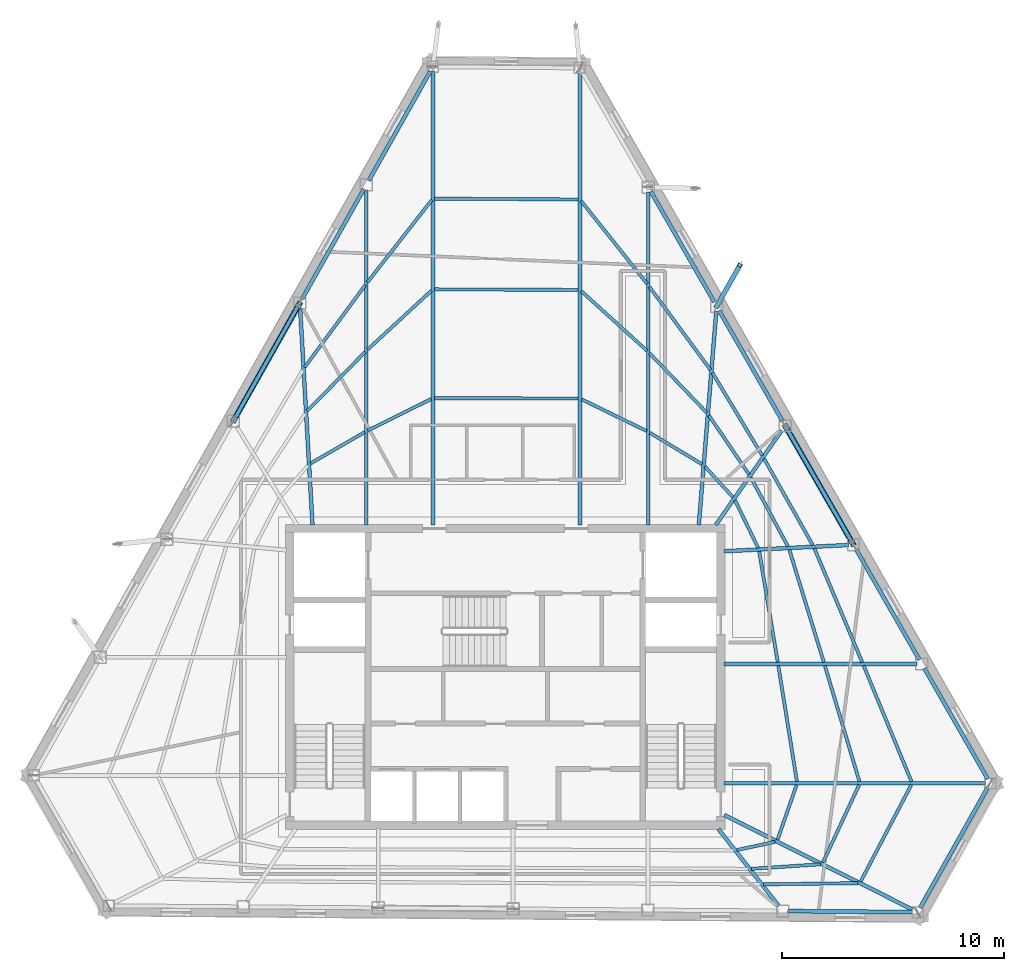
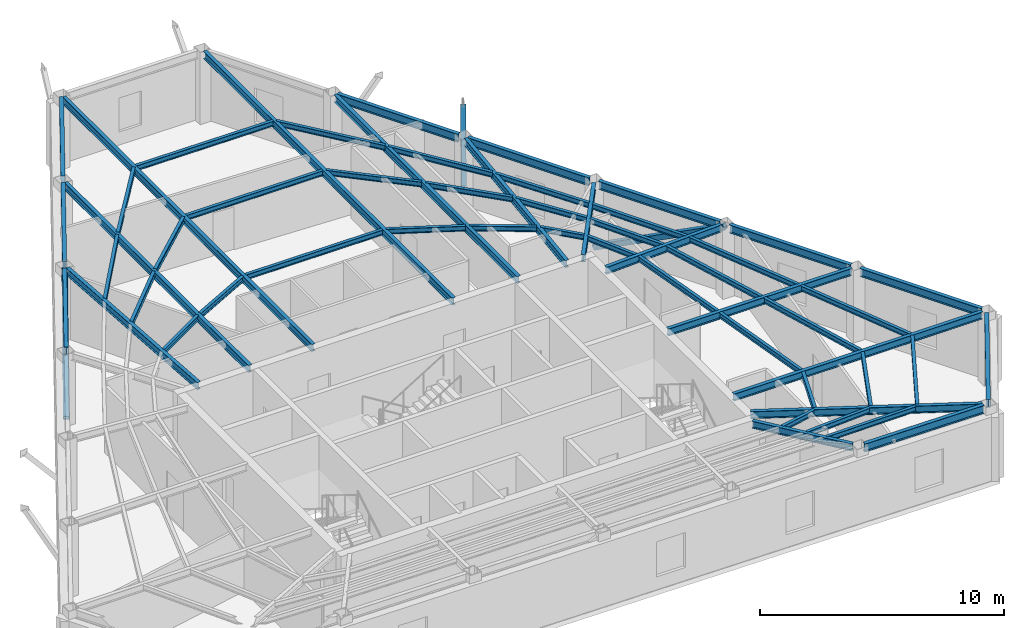
# One storey, part 2 of 10: 55 beams, 3 members.
"""IFC4 building model written with IfcOpenShell, lengths in metres."""

import ifcopenshell
import ifcopenshell.guid

model = None  # the IFC model being written
_history = None  # IfcOwnerHistory: only IFC2X3 demands one
_inside = {}  # id of a spatial element -> (the spatial element, [elements in it])
_under = {}  # id of a project, library or spatial element -> (it, [spatial elements below it])
_declared = {}  # id of a project -> (the project, [libraries it declares])
_typed = {}  # id of a type object -> (the type object, [elements of that type])
_made_of = {}  # id of a material, layer set ... -> (it, [elements and type objects made of it])


def new_model(schema):
    """Start an empty IFC model of exactly this schema.

    Asked for "IFC4X3", IfcOpenShell would pick the latest addendum, in which some entities
    have other attributes; the version numbers below select the first issue.
    IFC2X3 requires an IfcOwnerHistory on every rooted entity: one is made here for all.
    """
    global model, _history
    if schema == "IFC4X3":
        model = ifcopenshell.file(schema_version=(4, 3, 0, 0))
    else:
        model = ifcopenshell.file(schema=schema)
    _inside.clear()
    _under.clear()
    _declared.clear()
    _typed.clear()
    _made_of.clear()
    _history = None
    if model.schema == "IFC2X3":
        org = make("IfcOrganization", Name="unknown")
        user = make(
            "IfcPersonAndOrganization",
            ThePerson=make("IfcPerson", FamilyName="unknown"),
            TheOrganization=org,
        )
        app = make(
            "IfcApplication",
            ApplicationDeveloper=org,
            Version="unknown",
            ApplicationFullName="unknown",
            ApplicationIdentifier="unknown",
        )
        _history = make(
            "IfcOwnerHistory",
            OwningUser=user,
            OwningApplication=app,
            ChangeAction="ADDED",
            CreationDate=0,
        )
    return model


def make(cls, **values):
    """One entity of the class cls with the attributes given. An attribute that is None is left unset."""
    return model.create_entity(
        cls, **{name: value for name, value in values.items() if value is not None}
    )


def rooted(cls, **values):
    """An entity with a GlobalId (a new one), such as an element, a storey or a relation."""
    return make(cls, GlobalId=ifcopenshell.guid.new(), OwnerHistory=_history, **values)


def si_unit(unit_type, name, prefix=None):
    """IfcSIUnit, for example si_unit("LENGTHUNIT", "METRE", prefix="MILLI")."""
    return make("IfcSIUnit", UnitType=unit_type, Prefix=prefix, Name=name)


def assignment(units):
    """IfcUnitAssignment: the units of a project."""
    return None if units is None else make("IfcUnitAssignment", Units=units)


def point(xyz):
    """IfcCartesianPoint."""
    return None if xyz is None else make("IfcCartesianPoint", Coordinates=xyz)


def direction(xyz):
    """IfcDirection."""
    return None if xyz is None else make("IfcDirection", DirectionRatios=xyz)


def frame(location, z_axis=None, x_axis=None):
    """IfcAxis2Placement3D, a coordinate frame: its origin and axes. An axis left out is left unset."""
    return make(
        "IfcAxis2Placement3D",
        Location=point(location),
        Axis=direction(z_axis),
        RefDirection=direction(x_axis),
    )


def frame_2d(location, x_axis=None):
    """IfcAxis2Placement2D, a coordinate frame in the plane: its origin and x axis."""
    return make(
        "IfcAxis2Placement2D", Location=point(location), RefDirection=direction(x_axis)
    )


def origin():
    """The frame at (0, 0, 0) with its axes left unset."""
    return frame((0.0, 0.0, 0.0))


def origin_2d():
    """The frame at (0, 0) in the plane with its x axis left unset."""
    return frame_2d((0.0, 0.0))


def place(relative_to, where):
    """IfcLocalPlacement: puts the frame where relative to a parent placement (None: the world)."""
    return make(
        "IfcLocalPlacement", PlacementRelTo=relative_to, RelativePlacement=where
    )


def context(
    kind, dimensions, precision=None, world=None, true_north=None, identifier=None
):
    """IfcGeometricRepresentationContext, for example the 3D "Model" context."""
    return make(
        "IfcGeometricRepresentationContext",
        ContextIdentifier=identifier,
        ContextType=kind,
        CoordinateSpaceDimension=dimensions,
        Precision=precision,
        WorldCoordinateSystem=world,
        TrueNorth=true_north,
    )


def subcontext(parent, identifier, kind, view, scale=None):
    """IfcGeometricRepresentationSubContext, for example "Body" below "Model"."""
    return make(
        "IfcGeometricRepresentationSubContext",
        ContextIdentifier=identifier,
        ContextType=kind,
        ParentContext=parent,
        TargetScale=scale,
        TargetView=view,
    )


def project(units=None, contexts=None):
    """IfcProject with its units and contexts."""
    return rooted(
        "IfcProject",
        Name="project",
        RepresentationContexts=contexts,
        UnitsInContext=assignment(units),
    )


def spatial(cls, under=None, at=None, **own):
    """A site, building, storey or space (cls), placed at a placement, below another one or the project."""
    s = rooted(cls, ObjectPlacement=at, **own)
    if under is not None:
        _under.setdefault(under.id(), (under, []))[1].append(s)
    return s


def profile(cls, at=None, kind="AREA", **sizes):
    """A parametric profile (cls). Its sizes go by their IFC names, for example OverallWidth=200.0."""
    return make(cls, ProfileType=kind, Position=at, **sizes)


def hollow_rectangle(**sizes):
    """IfcRectangleHollowProfileDef."""
    return profile("IfcRectangleHollowProfileDef", **sizes)


def i_section(**sizes):
    """IfcIShapeProfileDef."""
    return profile("IfcIShapeProfileDef", **sizes)


def extrude(swept, where, along, depth):
    """IfcExtrudedAreaSolid: the profile swept, set in the frame where, extruded along a direction by depth."""
    return make(
        "IfcExtrudedAreaSolid",
        SweptArea=swept,
        Position=where,
        ExtrudedDirection=direction(along),
        Depth=depth,
    )


def shape(context_of_items, identifier, shape_type, items):
    """IfcShapeRepresentation: the items that make up one representation, for example the "Body"."""
    return make(
        "IfcShapeRepresentation",
        ContextOfItems=context_of_items,
        RepresentationIdentifier=identifier,
        RepresentationType=shape_type,
        Items=items,
    )


def material(Name=None, Category=None):
    """IfcMaterial."""
    return make("IfcMaterial", Name=Name, Category=Category)


def material_profile(
    of_material, cross_section, Name=None, Category=None, Priority=None
):
    """IfcMaterialProfile: a cross section and its material."""
    return make(
        "IfcMaterialProfile",
        Name=Name,
        Material=of_material,
        Profile=cross_section,
        Priority=Priority,
        Category=Category,
    )


def profile_set(profiles, Name=None, composite=None):
    """IfcMaterialProfileSet."""
    return make(
        "IfcMaterialProfileSet",
        Name=Name,
        MaterialProfiles=profiles,
        CompositeProfile=composite,
    )


def made_of(thing, what):
    """Note that an element or type object is made of a material, layer set ...; save() writes the relation."""
    if what is not None:
        _made_of.setdefault(what.id(), (what, []))[1].append(thing)
    return thing


def type_object(cls, material=None, **own):
    """A type object (cls), such as IfcWallType, which elements share."""
    return made_of(rooted(cls, **own), material)


def element(
    cls,
    number,
    at=None,
    inside=None,
    cuts=None,
    type_object=None,
    material=None,
    context=None,
    identifier="Body",
    shape_type=None,
    held_by="IfcProductDefinitionShape",
    body=None,
    shapes=None,
    **own,
):
    """One element of the class cls, such as IfcWall. Its Tag is "e" and its number.

    at: its placement. inside: the storey or other place that contains it. cuts: it is an
    opening in that element (IfcRelVoidsElement). A single representation is given by context,
    identifier, shape_type and body (its items); several are given by shapes. held_by: the class
    of the entity that holds the representations. save() writes the other relations.
    """
    e = rooted(cls, Tag="e%d" % number, ObjectPlacement=at, **own)
    if body is not None:
        shapes = [shape(context, identifier, shape_type, body)]
    if shapes is not None:
        e.Representation = make(held_by, Representations=shapes)
    if inside is not None:
        _inside.setdefault(inside.id(), (inside, []))[1].append(e)
    if cuts is not None:
        rooted(
            "IfcRelVoidsElement", RelatingBuildingElement=cuts, RelatedOpeningElement=e
        )
    if type_object is not None:
        _typed.setdefault(type_object.id(), (type_object, []))[1].append(e)
    return made_of(e, material)


def aggregate(whole, parts):
    """IfcRelAggregates: a whole, such as a stair, and the parts it consists of."""
    return rooted("IfcRelAggregates", RelatingObject=whole, RelatedObjects=parts)


def save(model, path):
    """Write the relations noted so far, then the file.

    IfcRelAggregates (storeys below a building ...), IfcRelContainedInSpatialStructure (elements
    in a storey), IfcRelDefinesByType, IfcRelAssociatesMaterial and IfcRelDeclares: one each for
    every whole, place, type object, material and project.
    """
    for whole, parts in _under.values():
        aggregate(whole, parts)
    for where, things in _inside.values():
        rooted(
            "IfcRelContainedInSpatialStructure",
            RelatedElements=things,
            RelatingStructure=where,
        )
    for kind, things in _typed.values():
        rooted("IfcRelDefinesByType", RelatedObjects=things, RelatingType=kind)
    for what, things in _made_of.values():
        rooted("IfcRelAssociatesMaterial", RelatedObjects=things, RelatingMaterial=what)
    for by, libraries in _declared.values():
        rooted("IfcRelDeclares", RelatingContext=by, RelatedDefinitions=libraries)
    model.write(path)


model = new_model("IFC4")

# Units and contexts
model_context = context("Model", 3, precision=1e-05, world=origin(), true_north=direction((0.0, 1.0)))
body_context = subcontext(model_context, "Body", "Model", "MODEL_VIEW")
ifc_project = project(units=[si_unit("LENGTHUNIT", "METRE"), si_unit("AREAUNIT", "SQUARE_METRE"), si_unit("VOLUMEUNIT", "CUBIC_METRE"), si_unit("PLANEANGLEUNIT", "RADIAN"), si_unit("MASSUNIT", "GRAM", prefix="KILO")], contexts=[model_context])

# Site, building, storey
site_placement = place(None, origin())
site = spatial("IfcSite", under=ifc_project, at=site_placement, CompositionType="ELEMENT")
building_placement = place(site_placement, origin())
building = spatial("IfcBuilding", under=site, at=building_placement, Name="Kavelnor Concourse Tower", CompositionType="ELEMENT")
storey_placement = place(building_placement, frame((0.0, 0.0, 243.35009765625)))
storey = spatial("IfcBuildingStorey", under=building, at=storey_placement, Name="L61", CompositionType="ELEMENT", Elevation=243.35009765625)

# Beams
ifc_material = material(Name="Steel Grade 350", Category="steel")
ifc_material_profile_1 = material_profile(ifc_material, i_section(OverallWidth=0.14599609375, OverallDepth=0.256103515625, WebThickness=0.00634765625, FlangeThickness=0.010986328125, at=origin_2d()), Name="250UB37")
ifc_profile_set_1 = profile_set([ifc_material_profile_1], Name="Steel Grade 350")
beam_type_1 = type_object("IfcBeamType", Name="BM-JOIST-250", PredefinedType="JOIST", material=ifc_profile_set_1)
beam_1_placement = place(storey_placement, frame((48.443115234375, 8.29443359375, 3.48193359375), z_axis=(0.977763807567, 0.209709171502, 0.0), x_axis=(-0.209709171502, 0.977763807567, 0.0)))
element("IfcBeam", 1, at=beam_1_placement, inside=storey, type_object=beam_type_1, Name="L61 Secondary Composite Joist 07-1", PredefinedType="JOIST", context=body_context, shape_type="SweptSolid", body=[
    extrude(i_section(OverallWidth=0.14599609375, OverallDepth=0.256103515625, WebThickness=0.00634765625, FlangeThickness=0.010986328125, at=origin_2d()), origin(), (0.0, 0.0, 1.0), 1.759033203125),
])
beam_2_placement = place(storey_placement, frame((49.099609375, 7.447509765625, 3.48193359375), z_axis=(0.997851395696, 0.065517876241, 0.0), x_axis=(-0.065517876241, 0.997851395696, 0.0)))
element("IfcBeam", 2, at=beam_2_placement, inside=storey, type_object=beam_type_1, Name="L61 Secondary Composite Joist 07-2", PredefinedType="JOIST", context=body_context, shape_type="SweptSolid", body=[
    extrude(i_section(OverallWidth=0.14599609375, OverallDepth=0.256103515625, WebThickness=0.00634765625, FlangeThickness=0.010986328125, at=origin_2d()), origin(), (0.0, 0.0, 1.0), 3.107666015625),
])
beam_3_placement = place(storey_placement, frame((49.6455078125, 6.74755859375, 3.48193359375), z_axis=(0.999917393009, 0.012853293701, 0.0), x_axis=(-0.012853293701, 0.999917393009, 0.0)))
element("IfcBeam", 3, at=beam_3_placement, inside=storey, type_object=beam_type_1, Name="L61 Secondary Composite Joist 07-3", PredefinedType="JOIST", context=body_context, shape_type="SweptSolid", body=[
    extrude(i_section(OverallWidth=0.14599609375, OverallDepth=0.256103515625, WebThickness=0.00634765625, FlangeThickness=0.010986328125, at=origin_2d()), origin(), (0.0, 0.0, 1.0), 4.254638671875),
])
beam_4_placement = place(storey_placement, frame((50.270263671875, 8.758056640625, 3.48193359375), z_axis=(0.328817200595, 0.944393587755, 0.0), x_axis=(-0.944393587755, 0.328817200595, 0.0)))
element("IfcBeam", 4, at=beam_4_placement, inside=storey, type_object=beam_type_1, Name="L61 Secondary Composite Joist 08-1", PredefinedType="JOIST", context=body_context, shape_type="SweptSolid", body=[
    extrude(i_section(OverallWidth=0.14599609375, OverallDepth=0.256103515625, WebThickness=0.00634765625, FlangeThickness=0.010986328125, at=origin_2d()), origin(), (0.0, 0.0, 1.0), 2.617919921875),
])
beam_5_placement = place(storey_placement, frame((52.317138671875, 7.73095703125, 3.48193359375), z_axis=(0.422584548823, 0.906323506865, 0.0), x_axis=(-0.906323506865, 0.422584548823, 0.0)))
element("IfcBeam", 5, at=beam_5_placement, inside=storey, type_object=beam_type_1, Name="L61 Secondary Composite Joist 08-2", PredefinedType="JOIST", context=body_context, shape_type="SweptSolid", body=[
    extrude(i_section(OverallWidth=0.14599609375, OverallDepth=0.256103515625, WebThickness=0.00634765625, FlangeThickness=0.010986328125, at=origin_2d()), origin(), (0.0, 0.0, 1.0), 3.864501953125),
])
beam_6_placement = place(storey_placement, frame((54.02001953125, 6.8759765625, 3.48193359375), z_axis=(0.46386608457, 0.885905331052, 0.0), x_axis=(-0.885905331052, 0.46386608457, 0.0)))
element("IfcBeam", 6, at=beam_6_placement, inside=storey, type_object=beam_type_1, Name="L61 Secondary Composite Joist 08-3", PredefinedType="JOIST", context=body_context, shape_type="SweptSolid", body=[
    extrude(i_section(OverallWidth=0.14599609375, OverallDepth=0.256103515625, WebThickness=0.00634765625, FlangeThickness=0.010986328125, at=origin_2d()), origin(), (0.0, 0.0, 1.0), 4.920654296875),
])
beam_7_placement = place(storey_placement, frame((51.14501953125, 11.388916015625, 3.48193359375), z_axis=(-0.158598386586, 0.987343178319, 0.0), x_axis=(-0.987343178319, -0.158598386586, 0.0)))
element("IfcBeam", 7, at=beam_7_placement, inside=storey, type_object=beam_type_1, Name="L61 Secondary Composite Joist 09-1", PredefinedType="JOIST", context=body_context, shape_type="SweptSolid", body=[
    extrude(i_section(OverallWidth=0.14599609375, OverallDepth=0.256103515625, WebThickness=0.00634765625, FlangeThickness=0.010986328125, at=origin_2d()), origin(), (0.0, 0.0, 1.0), 5.278564453125),
])
beam_8_placement = place(storey_placement, frame((53.96142578125, 11.386474609375, 3.48193359375), z_axis=(-0.28583330213, 0.958279355613, 0.0), x_axis=(-0.958279355613, -0.28583330213, 0.0)))
element("IfcBeam", 8, at=beam_8_placement, inside=storey, type_object=beam_type_1, Name="L61 Secondary Composite Joist 09-2", PredefinedType="JOIST", context=body_context, shape_type="SweptSolid", body=[
    extrude(i_section(OverallWidth=0.14599609375, OverallDepth=0.256103515625, WebThickness=0.00634765625, FlangeThickness=0.010986328125, at=origin_2d()), origin(), (0.0, 0.0, 1.0), 5.443359375),
])
beam_9_placement = place(storey_placement, frame((56.30908203125, 11.383544921875, 3.48193359375), z_axis=(-0.381686325726, 0.924291917499, 0.0), x_axis=(-0.924291917499, -0.381686325726, 0.0)))
element("IfcBeam", 9, at=beam_9_placement, inside=storey, type_object=beam_type_1, Name="L61 Secondary Composite Joist 09-3", PredefinedType="JOIST", context=body_context, shape_type="SweptSolid", body=[
    extrude(i_section(OverallWidth=0.14599609375, OverallDepth=0.256103515625, WebThickness=0.00634765625, FlangeThickness=0.010986328125, at=origin_2d()), origin(), (0.0, 0.0, 1.0), 5.64990234375),
])
beam_10_placement = place(storey_placement, frame((50.281494140625, 16.762451171875, 3.48193359375), z_axis=(-0.165008337681, 0.986292171973, 0.0), x_axis=(-0.986292171973, -0.165008337681, 0.0)))
element("IfcBeam", 10, at=beam_10_placement, inside=storey, type_object=beam_type_1, Name="L61 Secondary Composite Joist 10-1", PredefinedType="JOIST", context=body_context, shape_type="SweptSolid", body=[
    extrude(i_section(OverallWidth=0.14599609375, OverallDepth=0.256103515625, WebThickness=0.00634765625, FlangeThickness=0.010986328125, at=origin_2d()), origin(), (0.0, 0.0, 1.0), 5.067626953125),
])
beam_11_placement = place(storey_placement, frame((52.35791015625, 16.760009765625, 3.48193359375), z_axis=(-0.293141148153, 0.956069174934, 0.0), x_axis=(-0.956069174934, -0.293141148153, 0.0)))
element("IfcBeam", 11, at=beam_11_placement, inside=storey, type_object=beam_type_1, Name="L61 Secondary Composite Joist 10-2", PredefinedType="JOIST", context=body_context, shape_type="SweptSolid", body=[
    extrude(i_section(OverallWidth=0.14599609375, OverallDepth=0.256103515625, WebThickness=0.00634765625, FlangeThickness=0.010986328125, at=origin_2d()), origin(), (0.0, 0.0, 1.0), 5.303466796875),
])
beam_12_placement = place(storey_placement, frame((54.089599609375, 16.757080078125, 3.48193359375), z_axis=(-0.387282437491, 0.921961123698, 0.0), x_axis=(-0.921961123698, -0.387282437491, 0.0)))
element("IfcBeam", 12, at=beam_12_placement, inside=storey, type_object=beam_type_1, Name="L61 Secondary Composite Joist 10-3", PredefinedType="JOIST", context=body_context, shape_type="SweptSolid", body=[
    extrude(i_section(OverallWidth=0.14599609375, OverallDepth=0.256103515625, WebThickness=0.00634765625, FlangeThickness=0.010986328125, at=origin_2d()), origin(), (0.0, 0.0, 1.0), 5.56689453125),
])
beam_13_placement = place(storey_placement, frame((49.396240234375, 21.9150390625, 3.48193359375), z_axis=(-0.436017703877, 0.899938087818, 0.0), x_axis=(-0.899938087818, -0.436017703877, 0.0)))
element("IfcBeam", 13, at=beam_13_placement, inside=storey, type_object=beam_type_1, Name="L61 Secondary Composite Joist 11-1", PredefinedType="JOIST", context=body_context, shape_type="SweptSolid", body=[
    extrude(i_section(OverallWidth=0.14599609375, OverallDepth=0.256103515625, WebThickness=0.00634765625, FlangeThickness=0.010986328125, at=origin_2d()), origin(), (0.0, 0.0, 1.0), 2.388671875),
])
beam_14_placement = place(storey_placement, frame((50.740234375, 21.981201171875, 3.48193359375), z_axis=(-0.473786096706, 0.880639957399, 0.0), x_axis=(-0.880639957399, -0.473786096706, 0.0)))
element("IfcBeam", 14, at=beam_14_placement, inside=storey, type_object=beam_type_1, Name="L61 Secondary Composite Joist 11-2", PredefinedType="JOIST", context=body_context, shape_type="SweptSolid", body=[
    extrude(i_section(OverallWidth=0.14599609375, OverallDepth=0.256103515625, WebThickness=0.00634765625, FlangeThickness=0.010986328125, at=origin_2d()), origin(), (0.0, 0.0, 1.0), 3.527099609375),
])
beam_15_placement = place(storey_placement, frame((51.861572265625, 22.03662109375, 3.48193359375), z_axis=(-0.490799443168, 0.87127257881, 0.0), x_axis=(-0.87127257881, -0.490799443168, 0.0)))
element("IfcBeam", 15, at=beam_15_placement, inside=storey, type_object=beam_type_1, Name="L61 Secondary Composite Joist 11-3", PredefinedType="JOIST", context=body_context, shape_type="SweptSolid", body=[
    extrude(i_section(OverallWidth=0.14599609375, OverallDepth=0.256103515625, WebThickness=0.00634765625, FlangeThickness=0.010986328125, at=origin_2d()), origin(), (0.0, 0.0, 1.0), 4.47900390625),
])
beam_16_placement = place(storey_placement, frame((48.263427734375, 24.198974609375, 3.48193359375), z_axis=(-0.675671497685, 0.73720283994, 0.0), x_axis=(-0.73720283994, -0.675671497685, 0.0)))
element("IfcBeam", 16, at=beam_16_placement, inside=storey, type_object=beam_type_1, Name="L61 Secondary Composite Joist 12-1", PredefinedType="JOIST", context=body_context, shape_type="SweptSolid", body=[
    extrude(i_section(OverallWidth=0.14599609375, OverallDepth=0.256103515625, WebThickness=0.00634765625, FlangeThickness=0.010986328125, at=origin_2d()), origin(), (0.0, 0.0, 1.0), 1.872802734375),
])
beam_17_placement = place(storey_placement, frame((48.984375, 25.227294921875, 3.48193359375), z_axis=(-0.561900686908, 0.827204701421, 0.0), x_axis=(-0.827204701421, -0.561900686908, 0.0)))
element("IfcBeam", 17, at=beam_17_placement, inside=storey, type_object=beam_type_1, Name="L61 Secondary Composite Joist 12-2", PredefinedType="JOIST", context=body_context, shape_type="SweptSolid", body=[
    extrude(i_section(OverallWidth=0.14599609375, OverallDepth=0.256103515625, WebThickness=0.00634765625, FlangeThickness=0.010986328125, at=origin_2d()), origin(), (0.0, 0.0, 1.0), 3.21435546875),
])
beam_18_placement = place(storey_placement, frame((49.580810546875, 26.080810546875, 3.48193359375), z_axis=(-0.516085457726, 0.856537098043, 0.0), x_axis=(-0.856537098043, -0.516085457726, 0.0)))
element("IfcBeam", 18, at=beam_18_placement, inside=storey, type_object=beam_type_1, Name="L61 Secondary Composite Joist 12-3", PredefinedType="JOIST", context=body_context, shape_type="SweptSolid", body=[
    extrude(i_section(OverallWidth=0.14599609375, OverallDepth=0.256103515625, WebThickness=0.00634765625, FlangeThickness=0.010986328125, at=origin_2d()), origin(), (0.0, 0.0, 1.0), 4.3564453125),
])
beam_19_placement = place(storey_placement, frame((46.87255859375, 25.682373046875, 3.48193359375), z_axis=(-0.856425881564, 0.516269996598, 0.0), x_axis=(-0.516269996598, -0.856425881564, 0.0)))
element("IfcBeam", 19, at=beam_19_placement, inside=storey, type_object=beam_type_1, Name="L61 Secondary Composite Joist 13-1", PredefinedType="JOIST", context=body_context, shape_type="SweptSolid", body=[
    extrude(i_section(OverallWidth=0.14599609375, OverallDepth=0.256103515625, WebThickness=0.00634765625, FlangeThickness=0.010986328125, at=origin_2d()), origin(), (0.0, 0.0, 1.0), 2.750244140625),
])
beam_20_placement = place(storey_placement, frame((47.075439453125, 28.01318359375, 3.48193359375), z_axis=(-0.692923337171, 0.721011268153, 0.0), x_axis=(-0.721011268153, -0.692923337171, 0.0)))
element("IfcBeam", 20, at=beam_20_placement, inside=storey, type_object=beam_type_1, Name="L61 Secondary Composite Joist 13-2", PredefinedType="JOIST", context=body_context, shape_type="SweptSolid", body=[
    extrude(i_section(OverallWidth=0.14599609375, OverallDepth=0.256103515625, WebThickness=0.00634765625, FlangeThickness=0.010986328125, at=origin_2d()), origin(), (0.0, 0.0, 1.0), 3.71142578125),
])
beam_21_placement = place(storey_placement, frame((47.24169921875, 29.948486328125, 3.48193359375), z_axis=(-0.592180390646, 0.805805426226, 0.0), x_axis=(-0.805805426226, -0.592180390646, 0.0)))
element("IfcBeam", 21, at=beam_21_placement, inside=storey, type_object=beam_type_1, Name="L61 Secondary Composite Joist 13-3", PredefinedType="JOIST", context=body_context, shape_type="SweptSolid", body=[
    extrude(i_section(OverallWidth=0.14599609375, OverallDepth=0.256103515625, WebThickness=0.00634765625, FlangeThickness=0.010986328125, at=origin_2d()), origin(), (0.0, 0.0, 1.0), 4.6376953125),
])
beam_22_placement = place(storey_placement, frame((44.373046875, 27.180419921875, 3.48193359375), z_axis=(-0.898618238266, 0.438731423374, 0.0), x_axis=(-0.438731423374, -0.898618238266, 0.0)))
element("IfcBeam", 22, at=beam_22_placement, inside=storey, type_object=beam_type_1, Name="L61 Secondary Composite Joist 14-1", PredefinedType="JOIST", context=body_context, shape_type="SweptSolid", body=[
    extrude(i_section(OverallWidth=0.14599609375, OverallDepth=0.256103515625, WebThickness=0.00634765625, FlangeThickness=0.010986328125, at=origin_2d()), origin(), (0.0, 0.0, 1.0), 3.265869140625),
])
beam_23_placement = place(storey_placement, frame((44.385986328125, 30.803466796875, 3.48193359375), z_axis=(-0.740837795075, 0.671683974342, 0.0), x_axis=(-0.671683974342, -0.740837795075, 0.0)))
element("IfcBeam", 23, at=beam_23_placement, inside=storey, type_object=beam_type_1, Name="L61 Secondary Composite Joist 14-2", PredefinedType="JOIST", context=body_context, shape_type="SweptSolid", body=[
    extrude(i_section(OverallWidth=0.14599609375, OverallDepth=0.256103515625, WebThickness=0.00634765625, FlangeThickness=0.010986328125, at=origin_2d()), origin(), (0.0, 0.0, 1.0), 3.996337890625),
])
beam_24_placement = place(storey_placement, frame((44.395751953125, 33.81591796875, 3.48193359375), z_axis=(-0.623118820315, 0.78212718644, 0.0), x_axis=(-0.78212718644, -0.623118820315, 0.0)))
element("IfcBeam", 24, at=beam_24_placement, inside=storey, type_object=beam_type_1, Name="L61 Secondary Composite Joist 14-3", PredefinedType="JOIST", context=body_context, shape_type="SweptSolid", body=[
    extrude(i_section(OverallWidth=0.14599609375, OverallDepth=0.256103515625, WebThickness=0.00634765625, FlangeThickness=0.010986328125, at=origin_2d()), origin(), (0.0, 0.0, 1.0), 4.78271484375),
])
for number, where, z_axis, x_axis, name in (
    (25, (41.282470703125, 28.6494140625, 3.48193359375), (-0.999997603042, 0.002189500226, 0.0), (-0.002189500226, -0.999997603042, 0.0), "L61 Secondary Composite Joist 15-1"),
    (26, (41.282470703125, 33.543212890625, 3.48193359375), (-0.999991842289, 0.004039227147, 0.0), (-0.004039227147, -0.999991842289, 0.0), "L61 Secondary Composite Joist 15-2"),
    (27, (41.282470703125, 37.62109375, 3.48193359375), (-0.999983968352, 0.005662423377, 0.0), (-0.005662423377, -0.999983968352, 0.0), "L61 Secondary Composite Joist 15-3"),
):
    element("IfcBeam", number, at=place(storey_placement, frame(where, z_axis=z_axis, x_axis=x_axis)), inside=storey, type_object=beam_type_1, Name=name, PredefinedType="JOIST", context=body_context, shape_type="SweptSolid", body=[
        extrude(i_section(OverallWidth=0.14599609375, OverallDepth=0.256103515625, WebThickness=0.00634765625, FlangeThickness=0.010986328125, at=origin_2d()), origin(), (0.0, 0.0, 1.0), 6.46728515625),
    ])
beam_25_placement = place(storey_placement, frame((34.659912109375, 28.627197265625, 3.48193359375), z_axis=(-0.895452060129, -0.445157958494, 0.0), x_axis=(0.445157958494, -0.895452060129, 0.0)))
element("IfcBeam", 28, at=beam_25_placement, inside=storey, type_object=beam_type_1, Name="L61 Secondary Composite Joist 16-1", PredefinedType="JOIST", context=body_context, shape_type="SweptSolid", body=[
    extrude(i_section(OverallWidth=0.14599609375, OverallDepth=0.256103515625, WebThickness=0.00634765625, FlangeThickness=0.010986328125, at=origin_2d()), origin(), (0.0, 0.0, 1.0), 3.184814453125),
])
beam_26_placement = place(storey_placement, frame((34.673095703125, 33.51416015625, 3.48193359375), z_axis=(-0.734746095296, -0.678342225906, 0.0), x_axis=(0.678342225906, -0.734746095296, 0.0)))
element("IfcBeam", 29, at=beam_26_placement, inside=storey, type_object=beam_type_1, Name="L61 Secondary Composite Joist 16-2", PredefinedType="JOIST", context=body_context, shape_type="SweptSolid", body=[
    extrude(i_section(OverallWidth=0.14599609375, OverallDepth=0.256103515625, WebThickness=0.00634765625, FlangeThickness=0.010986328125, at=origin_2d()), origin(), (0.0, 0.0, 1.0), 3.917236328125),
])
beam_27_placement = place(storey_placement, frame((34.6826171875, 37.593505859375, 3.48193359375), z_axis=(-0.616123469804, -0.787649585766, 0.0), x_axis=(0.787649585766, -0.616123469804, 0.0)))
element("IfcBeam", 30, at=beam_27_placement, inside=storey, type_object=beam_type_1, Name="L61 Secondary Composite Joist 16-3", PredefinedType="JOIST", context=body_context, shape_type="SweptSolid", body=[
    extrude(i_section(OverallWidth=0.14599609375, OverallDepth=0.256103515625, WebThickness=0.00634765625, FlangeThickness=0.010986328125, at=origin_2d()), origin(), (0.0, 0.0, 1.0), 4.70263671875),
])
beam_28_placement = place(storey_placement, frame((31.663818359375, 27.132080078125, 3.48193359375), z_axis=(-0.866091820203, -0.499884945741, 0.0), x_axis=(0.499884945741, -0.866091820203, 0.0)))
element("IfcBeam", 31, at=beam_28_placement, inside=storey, type_object=beam_type_1, Name="L61 Secondary Composite Joist 17-1", PredefinedType="JOIST", context=body_context, shape_type="SweptSolid", body=[
    extrude(i_section(OverallWidth=0.14599609375, OverallDepth=0.256103515625, WebThickness=0.00634765625, FlangeThickness=0.010986328125, at=origin_2d()), origin(), (0.0, 0.0, 1.0), 2.818115234375),
])
beam_29_placement = place(storey_placement, frame((31.67724609375, 30.742919921875, 3.48193359375), z_axis=(-0.700437961318, -0.713713291416, 0.0), x_axis=(0.713713291416, -0.700437961318, 0.0)))
element("IfcBeam", 32, at=beam_29_placement, inside=storey, type_object=beam_type_1, Name="L61 Secondary Composite Joist 17-2", PredefinedType="JOIST", context=body_context, shape_type="SweptSolid", body=[
    extrude(i_section(OverallWidth=0.14599609375, OverallDepth=0.256103515625, WebThickness=0.00634765625, FlangeThickness=0.010986328125, at=origin_2d()), origin(), (0.0, 0.0, 1.0), 3.71484375),
])
beam_30_placement = place(storey_placement, frame((31.68603515625, 33.759033203125, 3.48193359375), z_axis=(-0.593834300544, -0.804587362253, 0.0), x_axis=(0.804587362253, -0.593834300544, 0.0)))
element("IfcBeam", 33, at=beam_30_placement, inside=storey, type_object=beam_type_1, Name="L61 Secondary Composite Joist 17-3", PredefinedType="JOIST", context=body_context, shape_type="SweptSolid", body=[
    extrude(i_section(OverallWidth=0.14599609375, OverallDepth=0.256103515625, WebThickness=0.00634765625, FlangeThickness=0.010986328125, at=origin_2d()), origin(), (0.0, 0.0, 1.0), 4.60009765625),
])
ifc_material_profile_2 = material_profile(ifc_material, i_section(OverallWidth=0.172119140625, OverallDepth=0.35888671875, WebThickness=0.008056640625, FlangeThickness=0.012939453125, at=origin_2d()), Name="360UB56")
ifc_profile_set_2 = profile_set([ifc_material_profile_2], Name="Steel Grade 350")
beam_type_2 = type_object("IfcBeamType", Name="BM-PRIMARY-360", PredefinedType="BEAM", material=ifc_profile_set_2)
beam_31_placement = place(storey_placement, frame((34.733154296875, 22.93994140625, 3.430419921875), z_axis=(0.0, 1.0, 0.0), x_axis=(-1.0, 0.0, 0.0)))
element("IfcBeam", 34, at=beam_31_placement, inside=storey, type_object=beam_type_2, Name="L61 Primary Floor Girder F0-B0", PredefinedType="BEAM", context=body_context, shape_type="SweptSolid", body=[
    extrude(i_section(OverallWidth=0.172119140625, OverallDepth=0.35888671875, WebThickness=0.008056640625, FlangeThickness=0.012939453125, at=origin_2d()), origin(), (0.0, 0.0, 1.0), 20.44189453125),
])
beam_32_placement = place(storey_placement, frame((31.734619140625, 22.93994140625, 3.430419921875), z_axis=(0.0, 1.0, 0.0), x_axis=(-1.0, 0.0, 0.0)))
element("IfcBeam", 35, at=beam_32_placement, inside=storey, type_object=beam_type_2, Name="L61 Primary Floor Girder F0-B1", PredefinedType="BEAM", context=body_context, shape_type="SweptSolid", body=[
    extrude(i_section(OverallWidth=0.172119140625, OverallDepth=0.35888671875, WebThickness=0.008056640625, FlangeThickness=0.012939453125, at=origin_2d()), origin(), (0.0, 0.0, 1.0), 15.1181640625),
])
beam_33_placement = place(storey_placement, frame((29.30908203125, 22.940185546875, 3.430419921875), z_axis=(-0.057115703547, 0.998367565783, 0.0), x_axis=(-0.998367565783, -0.057115703547, 0.0)))
element("IfcBeam", 36, at=beam_33_placement, inside=storey, type_object=beam_type_2, Name="L61 Primary Floor Girder F0-B2", PredefinedType="BEAM", context=body_context, shape_type="SweptSolid", body=[
    extrude(i_section(OverallWidth=0.172119140625, OverallDepth=0.35888671875, WebThickness=0.008056640625, FlangeThickness=0.012939453125, at=origin_2d()), origin(), (0.0, 0.0, 1.0), 9.81005859375),
])
beam_34_placement = place(storey_placement, frame((47.59912109375, 9.25146484375, 3.430419921875), z_axis=(0.61706284237, -0.786913876207, 0.0), x_axis=(0.786913876207, 0.61706284237, 0.0)))
element("IfcBeam", 37, at=beam_34_placement, inside=storey, type_object=beam_type_2, Name="L61 Primary Floor Girder F1-B5", PredefinedType="BEAM", context=body_context, shape_type="SweptSolid", body=[
    extrude(i_section(OverallWidth=0.172119140625, OverallDepth=0.35888671875, WebThickness=0.008056640625, FlangeThickness=0.012939453125, at=origin_2d()), origin(), (0.0, 0.0, 1.0), 4.42138671875),
])
beam_35_placement = place(storey_placement, frame((47.8642578125, 9.875244140625, 3.430419921875), z_axis=(0.893655515621, -0.448753628843, 0.0), x_axis=(0.448753628843, 0.893655515621, 0.0)))
element("IfcBeam", 38, at=beam_35_placement, inside=storey, type_object=beam_type_2, Name="L61 Primary Floor Girder F1-B6", PredefinedType="BEAM", context=body_context, shape_type="SweptSolid", body=[
    extrude(i_section(OverallWidth=0.172119140625, OverallDepth=0.35888671875, WebThickness=0.008056640625, FlangeThickness=0.012939453125, at=origin_2d()), origin(), (0.0, 0.0, 1.0), 9.507568359375),
])
beam_36_placement = place(storey_placement, frame((47.860107421875, 11.307861328125, 3.430419921875), z_axis=(1.0, 0.0, 0.0), x_axis=(0.0, 1.0, 0.0)))
element("IfcBeam", 39, at=beam_36_placement, inside=storey, type_object=beam_type_2, Name="L61 Primary Floor Girder F2-B0", PredefinedType="BEAM", context=body_context, shape_type="SweptSolid", body=[
    extrude(i_section(OverallWidth=0.172119140625, OverallDepth=0.35888671875, WebThickness=0.008056640625, FlangeThickness=0.012939453125, at=origin_2d()), origin(), (0.0, 0.0, 1.0), 11.7783203125),
])
beam_37_placement = place(storey_placement, frame((47.860107421875, 16.681396484375, 3.430419921875), z_axis=(1.0, 0.0, 0.0), x_axis=(0.0, 1.0, 0.0)))
element("IfcBeam", 40, at=beam_37_placement, inside=storey, type_object=beam_type_2, Name="L61 Primary Floor Girder F2-B1", PredefinedType="BEAM", context=body_context, shape_type="SweptSolid", body=[
    extrude(i_section(OverallWidth=0.172119140625, OverallDepth=0.35888671875, WebThickness=0.008056640625, FlangeThickness=0.012939453125, at=origin_2d()), origin(), (0.0, 0.0, 1.0), 8.696044921875),
])
beam_38_placement = place(storey_placement, frame((47.860107421875, 21.76220703125, 3.430419921875), z_axis=(0.998740721628, 0.050169422584, 0.0), x_axis=(-0.050169422584, 0.998740721628, 0.0)))
element("IfcBeam", 41, at=beam_38_placement, inside=storey, type_object=beam_type_2, Name="L61 Primary Floor Girder F2-B2", PredefinedType="BEAM", context=body_context, shape_type="SweptSolid", body=[
    extrude(i_section(OverallWidth=0.172119140625, OverallDepth=0.35888671875, WebThickness=0.008056640625, FlangeThickness=0.012939453125, at=origin_2d()), origin(), (0.0, 0.0, 1.0), 5.62060546875),
])
beam_39_placement = place(storey_placement, frame((47.489013671875, 22.947265625, 3.430419921875), z_axis=(0.571653407762, 0.82049520498, 0.0), x_axis=(-0.82049520498, 0.571653407762, 0.0)))
element("IfcBeam", 42, at=beam_39_placement, inside=storey, type_object=beam_type_2, Name="L61 Primary Floor Girder F2-B3", PredefinedType="BEAM", context=body_context, shape_type="SweptSolid", body=[
    extrude(i_section(OverallWidth=0.172119140625, OverallDepth=0.35888671875, WebThickness=0.008056640625, FlangeThickness=0.012939453125, at=origin_2d()), origin(), (0.0, 0.0, 1.0), 5.18505859375),
])
beam_40_placement = place(storey_placement, frame((46.7216796875, 22.940185546875, 3.430419921875), z_axis=(0.081610642046, 0.996664288065, 0.0), x_axis=(-0.996664288065, 0.081610642046, 0.0)))
element("IfcBeam", 43, at=beam_40_placement, inside=storey, type_object=beam_type_2, Name="L61 Primary Floor Girder F2-B4", PredefinedType="BEAM", context=body_context, shape_type="SweptSolid", body=[
    extrude(i_section(OverallWidth=0.172119140625, OverallDepth=0.35888671875, WebThickness=0.008056640625, FlangeThickness=0.012939453125, at=origin_2d()), origin(), (0.0, 0.0, 1.0), 9.674560546875),
])
beam_41_placement = place(storey_placement, frame((44.44677734375, 22.93994140625, 3.430419921875), z_axis=(0.0, 1.0, 0.0), x_axis=(-1.0, 0.0, 0.0)))
element("IfcBeam", 44, at=beam_41_placement, inside=storey, type_object=beam_type_2, Name="L61 Primary Floor Girder F2-B5", PredefinedType="BEAM", context=body_context, shape_type="SweptSolid", body=[
    extrude(i_section(OverallWidth=0.172119140625, OverallDepth=0.35888671875, WebThickness=0.008056640625, FlangeThickness=0.012939453125, at=origin_2d()), origin(), (0.0, 0.0, 1.0), 15.016357421875),
])
beam_42_placement = place(storey_placement, frame((41.364501953125, 22.93994140625, 3.430419921875), z_axis=(0.0, 1.0, 0.0), x_axis=(-1.0, 0.0, 0.0)))
element("IfcBeam", 45, at=beam_42_placement, inside=storey, type_object=beam_type_2, Name="L61 Primary Floor Girder F2-B6", PredefinedType="BEAM", context=body_context, shape_type="SweptSolid", body=[
    extrude(i_section(OverallWidth=0.172119140625, OverallDepth=0.35888671875, WebThickness=0.008056640625, FlangeThickness=0.012939453125, at=origin_2d()), origin(), (0.0, 0.0, 1.0), 20.389892578125),
])
ifc_material_profile_3 = material_profile(ifc_material, i_section(OverallWidth=0.177978515625, OverallDepth=0.406005859375, WebThickness=0.0078125, FlangeThickness=0.0126953125, at=origin_2d()), Name="410UB59")
ifc_profile_set_3 = profile_set([ifc_material_profile_3], Name="Steel Grade 350")
beam_type_3 = type_object("IfcBeamType", Name="BM-SPANDREL-Z4", PredefinedType="SPANDREL", material=ifc_profile_set_3)
beam_43_placement = place(storey_placement, frame((34.622802734375, 43.40576171875, 3.406982421875), z_axis=(-0.4907362815, -0.871308155603, 0.0), x_axis=(0.871308155603, -0.4907362815, 0.0)))
element("IfcBeam", 46, at=beam_43_placement, inside=storey, type_object=beam_type_3, Name="L61 Perimeter Tube Spandrel Beam F0-B0", PredefinedType="SPANDREL", context=body_context, shape_type="SweptSolid", body=[
    extrude(i_section(OverallWidth=0.177978515625, OverallDepth=0.406005859375, WebThickness=0.0078125, FlangeThickness=0.0126953125, at=origin_2d()), origin(), (0.0, 0.0, 1.0), 5.66015625),
])
for number, where, z_axis, x_axis, name in (
    (47, (31.624267578125, 38.08203125, 3.406982421875), (-0.490750583651, -0.871300100222, 0.0), (0.871300100222, -0.490750583651, 0.0), "L61 Perimeter Tube Spandrel Beam F0-B1"),
    (48, (28.625732421875, 32.75830078125, 3.406982421875), (-0.490750583651, -0.871300100222, 0.0), (0.871300100222, -0.490750583651, 0.0), "L61 Perimeter Tube Spandrel Beam F0-B2"),
):
    element("IfcBeam", number, at=place(storey_placement, frame(where, z_axis=z_axis, x_axis=x_axis)), inside=storey, type_object=beam_type_3, Name=name, PredefinedType="SPANDREL", context=body_context, shape_type="SweptSolid", body=[
        extrude(i_section(OverallWidth=0.177978515625, OverallDepth=0.406005859375, WebThickness=0.0078125, FlangeThickness=0.0126953125, at=origin_2d()), origin(), (0.0, 0.0, 1.0), 5.660400390625),
    ])
beam_44_placement = place(storey_placement, frame((50.7314453125, 5.5419921875, 3.406982421875), z_axis=(0.99996918396, -0.007850549655, 0.0), x_axis=(0.007850549655, 0.99996918396, 0.0)))
element("IfcBeam", 49, at=beam_44_placement, inside=storey, type_object=beam_type_3, Name="L61 Perimeter Tube Spandrel Beam F1-B5", PredefinedType="SPANDREL", context=body_context, shape_type="SweptSolid", body=[
    extrude(i_section(OverallWidth=0.177978515625, OverallDepth=0.406005859375, WebThickness=0.0078125, FlangeThickness=0.0126953125, at=origin_2d()), origin(), (0.0, 0.0, 1.0), 5.62890625),
])
for number, where, z_axis, x_axis, name in (
    (50, (59.74658203125, 11.5029296875, 3.406982421875), (-0.497547857441, 0.867436527681, 0.0), (-0.867436527681, -0.497547857441, 0.0), "L61 Perimeter Tube Spandrel Beam F2-B0"),
    (51, (56.664306640625, 16.876708984375, 3.406982421875), (-0.497547857441, 0.867436527681, 0.0), (-0.867436527681, -0.497547857441, 0.0), "L61 Perimeter Tube Spandrel Beam F2-B1"),
    (52, (53.581787109375, 22.25048828125, 3.406982421875), (-0.497566199078, 0.867426006951, 0.0), (-0.867426006951, -0.497566199078, 0.0), "L61 Perimeter Tube Spandrel Beam F2-B2"),
    (53, (50.49951171875, 27.6240234375, 3.406982421875), (-0.497547857441, 0.867436527681, 0.0), (-0.867436527681, -0.497547857441, 0.0), "L61 Perimeter Tube Spandrel Beam F2-B3"),
    (54, (47.417236328125, 32.997802734375, 3.406982421875), (-0.497566199078, 0.867426006951, 0.0), (-0.867426006951, -0.497566199078, 0.0), "L61 Perimeter Tube Spandrel Beam F2-B4"),
):
    element("IfcBeam", number, at=place(storey_placement, frame(where, z_axis=z_axis, x_axis=x_axis)), inside=storey, type_object=beam_type_3, Name=name, PredefinedType="SPANDREL", context=body_context, shape_type="SweptSolid", body=[
        extrude(i_section(OverallWidth=0.177978515625, OverallDepth=0.406005859375, WebThickness=0.0078125, FlangeThickness=0.0126953125, at=origin_2d()), origin(), (0.0, 0.0, 1.0), 5.744873046875),
    ])
beam_45_placement = place(storey_placement, frame((56.695556640625, 5.69189453125, 3.406982421875), z_axis=(0.490723300769, 0.871315466454, 0.0), x_axis=(-0.871315466454, 0.490723300769, 0.0)))
element("IfcBeam", 55, at=beam_45_placement, inside=storey, type_object=beam_type_3, Name="L61 Chamfer Facet Spandrel Beam C2", PredefinedType="SPANDREL", context=body_context, shape_type="SweptSolid", body=[
    extrude(i_section(OverallWidth=0.177978515625, OverallDepth=0.406005859375, WebThickness=0.0078125, FlangeThickness=0.0126953125, at=origin_2d()), origin(), (0.0, 0.0, 1.0), 6.220458984375),
])

# Members
ifc_material_profile_4 = material_profile(ifc_material, hollow_rectangle(XDim=0.219970703125, YDim=0.219970703125, WallThickness=0.013916015625, at=origin_2d()), Name="SHS 220x220x14")
ifc_profile_set_4 = profile_set([ifc_material_profile_4], Name="Steel Grade 350")
member_type_1 = type_object("IfcMemberType", Name="MBR-BALC-STRUT-220", PredefinedType="STRUT", material=ifc_profile_set_4)
member_1_placement = place(storey_placement, frame((47.529296875, 32.802490234375, 1.0498046875), z_axis=(0.310203504974, 0.551150248014, 0.774601310104), x_axis=(-0.871452890145, 0.490479214909, 0.0)))
element("IfcMember", 56, at=member_1_placement, inside=storey, type_object=member_type_1, Name="L61 Tree Balcony Raking Knee Strut 1-A", PredefinedType="STRUT", context=body_context, shape_type="SweptSolid", body=[
    extrude(hollow_rectangle(XDim=0.219970703125, YDim=0.219970703125, WallThickness=0.013916015625, at=origin_2d()), origin(), (0.0, 0.0, 1.0), 3.363037109375),
])
ifc_material_profile_5 = material_profile(ifc_material, hollow_rectangle(XDim=0.25, YDim=0.25, WallThickness=0.01611328125, at=origin_2d()), Name="SHS 250x250x16")
ifc_profile_set_5 = profile_set([ifc_material_profile_5], Name="Steel Grade 350")
member_type_2 = type_object("IfcMemberType", Name="MBR-TUBE-DIAG-Z4", PredefinedType="BRACE", material=ifc_profile_set_5)
member_2_placement = place(storey_placement, frame((25.737548828125, 27.63037109375, 0.219970703125), z_axis=(0.435117350193, 0.772526375045, 0.462467178751), x_axis=(-0.871300088381, 0.490750604673, 0.0)))
element("IfcMember", 57, at=member_2_placement, inside=storey, type_object=member_type_2, Name="L61 Framed-Tube Bracing Diagonal F0-B2", PredefinedType="BRACE", context=body_context, shape_type="SweptSolid", body=[
    extrude(hollow_rectangle(XDim=0.25, YDim=0.25, WallThickness=0.01611328125, at=origin_2d()), origin(), (0.0, 0.0, 1.0), 6.891357421875),
])
member_3_placement = place(storey_placement, frame((50.611572265625, 27.428955078125, 0.219970703125), z_axis=(0.442429482431, -0.771351709925, 0.457463323854), x_axis=(0.867439267463, 0.497543080811, 0.0)))
element("IfcMember", 58, at=member_3_placement, inside=storey, type_object=member_type_2, Name="L61 Framed-Tube Bracing Diagonal F2-B2", PredefinedType="BRACE", context=body_context, shape_type="SweptSolid", body=[
    extrude(hollow_rectangle(XDim=0.25, YDim=0.25, WallThickness=0.01611328125, at=origin_2d()), origin(), (0.0, 0.0, 1.0), 6.966796875),
])

save(model, "model.ifc")
